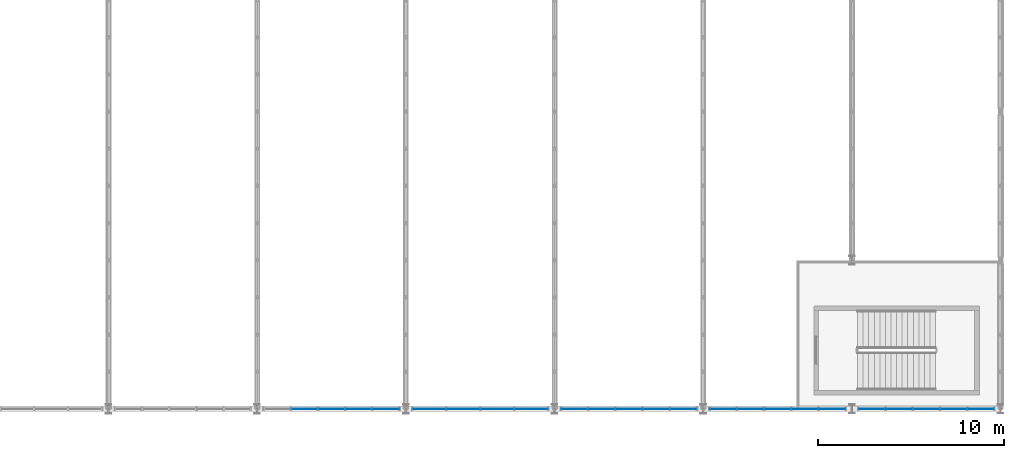
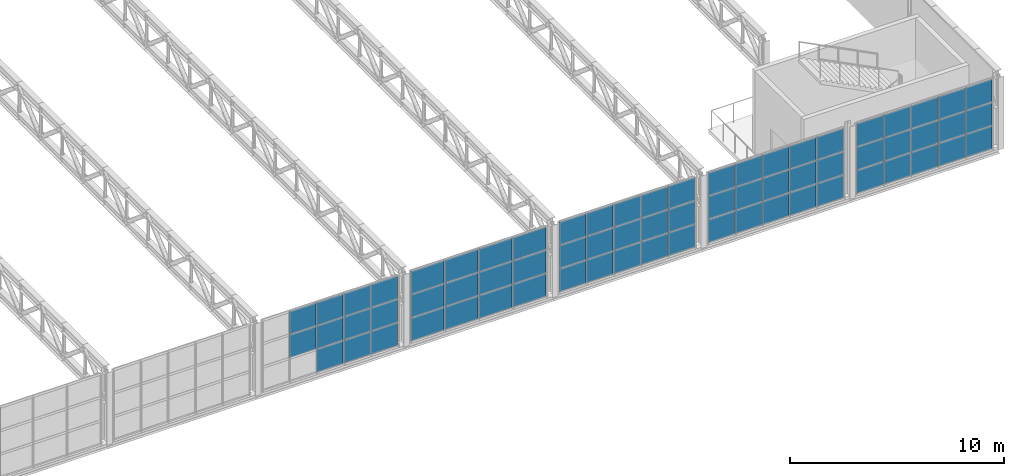
# One storey, part 54 of 67: 68 plates, 5 elements without a shape of their own.
"""IFC4 building model written with IfcOpenShell, lengths in metres."""

from ifc_helpers import new_model, si_unit, derived_unit, direction, frame, origin, origin_2d, place, context, subcontext, project, spatial, rectangle, extrude, material, layer, layer_set, type_object, element, aggregate, save


model = new_model("IFC4")

# Units and contexts
model_context = context("Model", 3, precision=1e-05, world=origin(), true_north=direction((0.0, 1.0)))
body_context = subcontext(model_context, "Body", "Model", "MODEL_VIEW")
ifc_project = project(units=[si_unit("LENGTHUNIT", "METRE"), si_unit("AREAUNIT", "SQUARE_METRE"), si_unit("VOLUMEUNIT", "CUBIC_METRE"), si_unit("PLANEANGLEUNIT", "RADIAN"), si_unit("MASSUNIT", "GRAM", prefix="KILO"), derived_unit("THERMALTRANSMITTANCEUNIT", [(si_unit("POWERUNIT", "WATT"), 1), (si_unit("LENGTHUNIT", "METRE"), -2), (si_unit("THERMODYNAMICTEMPERATUREUNIT", "KELVIN"), -1)])], contexts=[model_context])

# Site, building, storey
site_placement = place(None, origin())
site = spatial("IfcSite", under=ifc_project, at=site_placement, CompositionType="ELEMENT")
building_placement = place(site_placement, origin())
building = spatial("IfcBuilding", under=site, at=building_placement, Name="Keldorne Ridge Multi-Sports Centre", CompositionType="ELEMENT")
storey_placement = place(building_placement, frame((0.0, 0.0, 14.0)))
storey = spatial("IfcBuildingStorey", under=building, at=storey_placement, Name="L03", CompositionType="ELEMENT", Elevation=14.0)

# Curtain wall, plates
ifc_material_1 = material(Name="Anodized aluminium", Category="aluminium")
curtain_wall_type_1 = type_object("IfcCurtainWallType", Name="CW-CW-04", PredefinedType="NOTDEFINED", material=ifc_material_1)
curtain_wall_1_placement = place(storey_placement, origin())
curtain_wall_1 = element("IfcCurtainWall", 1, at=curtain_wall_1_placement, inside=storey, type_object=curtain_wall_type_1, Name="Upper Courts high clerestory 108", PredefinedType="NOTDEFINED")
ifc_material_2 = material(Name="Double low-e insulated glazing", Category="glass")
ifc_layer = layer(ifc_material_2, 0.035888671875)
ifc_layer_set = layer_set([ifc_layer])
plate_type = type_object("IfcPlateType", Name="PLT-GL-01", PredefinedType="CURTAIN_PANEL", material=ifc_layer_set)
plate_1_placement = place(storey_placement, frame((130.535888671875, 6.0, 1.353515625), z_axis=(0.0, 0.0, 1.0), x_axis=(1.0, 0.0, 0.0)))
plate_1 = element("IfcPlate", 2, at=plate_1_placement, type_object=plate_type, Name="CW-108 glazed panel 2.2", PredefinedType="CURTAIN_PANEL", context=body_context, shape_type="SweptSolid", body=[
    extrude(rectangle(XDim=1.424072265625, YDim=0.035888671875, at=origin_2d()), origin(), (0.0, 0.0, 1.0), 1.293212890625),
])
plate_2_placement = place(storey_placement, frame((130.535888671875, 6.0, 2.6865234375), z_axis=(0.0, 0.0, 1.0), x_axis=(1.0, 0.0, 0.0)))
plate_2 = element("IfcPlate", 3, at=plate_2_placement, type_object=plate_type, Name="CW-108 glazed panel 2.3", PredefinedType="CURTAIN_PANEL", context=body_context, shape_type="SweptSolid", body=[
    extrude(rectangle(XDim=1.424072265625, YDim=0.035888671875, at=origin_2d()), origin(), (0.0, 0.0, 1.0), 1.293212890625),
])
plate_3_placement = place(storey_placement, frame((132.0, 6.0, 0.02001953125), z_axis=(0.0, 0.0, 1.0), x_axis=(1.0, 0.0, 0.0)))
plate_3 = element("IfcPlate", 4, at=plate_3_placement, type_object=plate_type, Name="CW-108 glazed panel 3.1", PredefinedType="CURTAIN_PANEL", context=body_context, shape_type="SweptSolid", body=[
    extrude(rectangle(XDim=1.424072265625, YDim=0.035888671875, at=origin_2d()), origin(), (0.0, 0.0, 1.0), 1.293212890625),
])
plate_4_placement = place(storey_placement, frame((132.0, 6.0, 1.353515625), z_axis=(0.0, 0.0, 1.0), x_axis=(1.0, 0.0, 0.0)))
plate_4 = element("IfcPlate", 5, at=plate_4_placement, type_object=plate_type, Name="CW-108 glazed panel 3.2", PredefinedType="CURTAIN_PANEL", context=body_context, shape_type="SweptSolid", body=[
    extrude(rectangle(XDim=1.424072265625, YDim=0.035888671875, at=origin_2d()), origin(), (0.0, 0.0, 1.0), 1.293212890625),
])
plate_5_placement = place(storey_placement, frame((132.0, 6.0, 2.6865234375), z_axis=(0.0, 0.0, 1.0), x_axis=(1.0, 0.0, 0.0)))
plate_5 = element("IfcPlate", 6, at=plate_5_placement, type_object=plate_type, Name="CW-108 glazed panel 3.3", PredefinedType="CURTAIN_PANEL", context=body_context, shape_type="SweptSolid", body=[
    extrude(rectangle(XDim=1.424072265625, YDim=0.035888671875, at=origin_2d()), origin(), (0.0, 0.0, 1.0), 1.293212890625),
])
plate_6_placement = place(storey_placement, frame((133.464111328125, 6.0, 0.02001953125), z_axis=(0.0, 0.0, 1.0), x_axis=(1.0, 0.0, 0.0)))
plate_6 = element("IfcPlate", 7, at=plate_6_placement, type_object=plate_type, Name="CW-108 glazed panel 4.1", PredefinedType="CURTAIN_PANEL", context=body_context, shape_type="SweptSolid", body=[
    extrude(rectangle(XDim=1.424072265625, YDim=0.035888671875, at=origin_2d()), origin(), (0.0, 0.0, 1.0), 1.293212890625),
])
plate_7_placement = place(storey_placement, frame((133.464111328125, 6.0, 1.353515625), z_axis=(0.0, 0.0, 1.0), x_axis=(1.0, 0.0, 0.0)))
plate_7 = element("IfcPlate", 8, at=plate_7_placement, type_object=plate_type, Name="CW-108 glazed panel 4.2", PredefinedType="CURTAIN_PANEL", context=body_context, shape_type="SweptSolid", body=[
    extrude(rectangle(XDim=1.424072265625, YDim=0.035888671875, at=origin_2d()), origin(), (0.0, 0.0, 1.0), 1.293212890625),
])
plate_8_placement = place(storey_placement, frame((133.464111328125, 6.0, 2.6865234375), z_axis=(0.0, 0.0, 1.0), x_axis=(1.0, 0.0, 0.0)))
plate_8 = element("IfcPlate", 9, at=plate_8_placement, type_object=plate_type, Name="CW-108 glazed panel 4.3", PredefinedType="CURTAIN_PANEL", context=body_context, shape_type="SweptSolid", body=[
    extrude(rectangle(XDim=1.424072265625, YDim=0.035888671875, at=origin_2d()), origin(), (0.0, 0.0, 1.0), 1.293212890625),
])
plate_9_placement = place(storey_placement, frame((134.927978515625, 6.0, 0.02001953125), z_axis=(0.0, 0.0, 1.0), x_axis=(1.0, 0.0, 0.0)))
plate_9 = element("IfcPlate", 10, at=plate_9_placement, type_object=plate_type, Name="CW-108 glazed panel 5.1", PredefinedType="CURTAIN_PANEL", context=body_context, shape_type="SweptSolid", body=[
    extrude(rectangle(XDim=1.424072265625, YDim=0.035888671875, at=origin_2d()), origin(), (0.0, 0.0, 1.0), 1.293212890625),
])
plate_10_placement = place(storey_placement, frame((134.927978515625, 6.0, 1.353515625), z_axis=(0.0, 0.0, 1.0), x_axis=(1.0, 0.0, 0.0)))
plate_10 = element("IfcPlate", 11, at=plate_10_placement, type_object=plate_type, Name="CW-108 glazed panel 5.2", PredefinedType="CURTAIN_PANEL", context=body_context, shape_type="SweptSolid", body=[
    extrude(rectangle(XDim=1.424072265625, YDim=0.035888671875, at=origin_2d()), origin(), (0.0, 0.0, 1.0), 1.293212890625),
])
plate_11_placement = place(storey_placement, frame((134.927978515625, 6.0, 2.6865234375), z_axis=(0.0, 0.0, 1.0), x_axis=(1.0, 0.0, 0.0)))
plate_11 = element("IfcPlate", 12, at=plate_11_placement, type_object=plate_type, Name="CW-108 glazed panel 5.3", PredefinedType="CURTAIN_PANEL", context=body_context, shape_type="SweptSolid", body=[
    extrude(rectangle(XDim=1.424072265625, YDim=0.035888671875, at=origin_2d()), origin(), (0.0, 0.0, 1.0), 1.293212890625),
])
aggregate(curtain_wall_1, [plate_1, plate_2, plate_3, plate_4, plate_5, plate_6, plate_7, plate_8, plate_9, plate_10, plate_11])

curtain_wall_type_2 = type_object("IfcCurtainWallType", Name="CW-CW-03", PredefinedType="NOTDEFINED", material=ifc_material_1)
curtain_wall_2_placement = place(storey_placement, origin())
curtain_wall_2 = element("IfcCurtainWall", 13, at=curtain_wall_2_placement, inside=storey, type_object=curtain_wall_type_2, Name="Upper Courts high clerestory 115", PredefinedType="NOTDEFINED")
plate_12_placement = place(storey_placement, frame((137.2548828125, 6.0, 0.02001953125), z_axis=(0.0, 0.0, 1.0), x_axis=(1.0, 0.0, 0.0)))
plate_12 = element("IfcPlate", 14, at=plate_12_placement, type_object=plate_type, Name="CW-115 glazed panel 1.1", PredefinedType="CURTAIN_PANEL", context=body_context, shape_type="SweptSolid", body=[
    extrude(rectangle(XDim=1.7900390625, YDim=0.035888671875, at=origin_2d()), origin(), (0.0, 0.0, 1.0), 1.293212890625),
])
plate_13_placement = place(storey_placement, frame((137.2548828125, 6.0, 1.353515625), z_axis=(0.0, 0.0, 1.0), x_axis=(1.0, 0.0, 0.0)))
plate_13 = element("IfcPlate", 15, at=plate_13_placement, type_object=plate_type, Name="CW-115 glazed panel 1.2", PredefinedType="CURTAIN_PANEL", context=body_context, shape_type="SweptSolid", body=[
    extrude(rectangle(XDim=1.7900390625, YDim=0.035888671875, at=origin_2d()), origin(), (0.0, 0.0, 1.0), 1.293212890625),
])
plate_14_placement = place(storey_placement, frame((137.2548828125, 6.0, 2.6865234375), z_axis=(0.0, 0.0, 1.0), x_axis=(1.0, 0.0, 0.0)))
plate_14 = element("IfcPlate", 16, at=plate_14_placement, type_object=plate_type, Name="CW-115 glazed panel 1.3", PredefinedType="CURTAIN_PANEL", context=body_context, shape_type="SweptSolid", body=[
    extrude(rectangle(XDim=1.7900390625, YDim=0.035888671875, at=origin_2d()), origin(), (0.0, 0.0, 1.0), 1.293212890625),
])
plate_15_placement = place(storey_placement, frame((139.0849609375, 6.0, 0.02001953125), z_axis=(0.0, 0.0, 1.0), x_axis=(1.0, 0.0, 0.0)))
plate_15 = element("IfcPlate", 17, at=plate_15_placement, type_object=plate_type, Name="CW-115 glazed panel 2.1", PredefinedType="CURTAIN_PANEL", context=body_context, shape_type="SweptSolid", body=[
    extrude(rectangle(XDim=1.7900390625, YDim=0.035888671875, at=origin_2d()), origin(), (0.0, 0.0, 1.0), 1.293212890625),
])
plate_16_placement = place(storey_placement, frame((139.0849609375, 6.0, 1.353515625), z_axis=(0.0, 0.0, 1.0), x_axis=(1.0, 0.0, 0.0)))
plate_16 = element("IfcPlate", 18, at=plate_16_placement, type_object=plate_type, Name="CW-115 glazed panel 2.2", PredefinedType="CURTAIN_PANEL", context=body_context, shape_type="SweptSolid", body=[
    extrude(rectangle(XDim=1.7900390625, YDim=0.035888671875, at=origin_2d()), origin(), (0.0, 0.0, 1.0), 1.293212890625),
])
plate_17_placement = place(storey_placement, frame((139.0849609375, 6.0, 2.6865234375), z_axis=(0.0, 0.0, 1.0), x_axis=(1.0, 0.0, 0.0)))
plate_17 = element("IfcPlate", 19, at=plate_17_placement, type_object=plate_type, Name="CW-115 glazed panel 2.3", PredefinedType="CURTAIN_PANEL", context=body_context, shape_type="SweptSolid", body=[
    extrude(rectangle(XDim=1.7900390625, YDim=0.035888671875, at=origin_2d()), origin(), (0.0, 0.0, 1.0), 1.293212890625),
])
plate_18_placement = place(storey_placement, frame((140.9150390625, 6.0, 0.02001953125), z_axis=(0.0, 0.0, 1.0), x_axis=(1.0, 0.0, 0.0)))
plate_18 = element("IfcPlate", 20, at=plate_18_placement, type_object=plate_type, Name="CW-115 glazed panel 3.1", PredefinedType="CURTAIN_PANEL", context=body_context, shape_type="SweptSolid", body=[
    extrude(rectangle(XDim=1.7900390625, YDim=0.035888671875, at=origin_2d()), origin(), (0.0, 0.0, 1.0), 1.293212890625),
])
plate_19_placement = place(storey_placement, frame((140.9150390625, 6.0, 1.353515625), z_axis=(0.0, 0.0, 1.0), x_axis=(1.0, 0.0, 0.0)))
plate_19 = element("IfcPlate", 21, at=plate_19_placement, type_object=plate_type, Name="CW-115 glazed panel 3.2", PredefinedType="CURTAIN_PANEL", context=body_context, shape_type="SweptSolid", body=[
    extrude(rectangle(XDim=1.7900390625, YDim=0.035888671875, at=origin_2d()), origin(), (0.0, 0.0, 1.0), 1.293212890625),
])
plate_20_placement = place(storey_placement, frame((140.9150390625, 6.0, 2.6865234375), z_axis=(0.0, 0.0, 1.0), x_axis=(1.0, 0.0, 0.0)))
plate_20 = element("IfcPlate", 22, at=plate_20_placement, type_object=plate_type, Name="CW-115 glazed panel 3.3", PredefinedType="CURTAIN_PANEL", context=body_context, shape_type="SweptSolid", body=[
    extrude(rectangle(XDim=1.7900390625, YDim=0.035888671875, at=origin_2d()), origin(), (0.0, 0.0, 1.0), 1.293212890625),
])
plate_21_placement = place(storey_placement, frame((142.7451171875, 6.0, 0.02001953125), z_axis=(0.0, 0.0, 1.0), x_axis=(1.0, 0.0, 0.0)))
plate_21 = element("IfcPlate", 23, at=plate_21_placement, type_object=plate_type, Name="CW-115 glazed panel 4.1", PredefinedType="CURTAIN_PANEL", context=body_context, shape_type="SweptSolid", body=[
    extrude(rectangle(XDim=1.7900390625, YDim=0.035888671875, at=origin_2d()), origin(), (0.0, 0.0, 1.0), 1.293212890625),
])
plate_22_placement = place(storey_placement, frame((142.7451171875, 6.0, 1.353515625), z_axis=(0.0, 0.0, 1.0), x_axis=(1.0, 0.0, 0.0)))
plate_22 = element("IfcPlate", 24, at=plate_22_placement, type_object=plate_type, Name="CW-115 glazed panel 4.2", PredefinedType="CURTAIN_PANEL", context=body_context, shape_type="SweptSolid", body=[
    extrude(rectangle(XDim=1.7900390625, YDim=0.035888671875, at=origin_2d()), origin(), (0.0, 0.0, 1.0), 1.293212890625),
])
plate_23_placement = place(storey_placement, frame((142.7451171875, 6.0, 2.6865234375), z_axis=(0.0, 0.0, 1.0), x_axis=(1.0, 0.0, 0.0)))
plate_23 = element("IfcPlate", 25, at=plate_23_placement, type_object=plate_type, Name="CW-115 glazed panel 4.3", PredefinedType="CURTAIN_PANEL", context=body_context, shape_type="SweptSolid", body=[
    extrude(rectangle(XDim=1.7900390625, YDim=0.035888671875, at=origin_2d()), origin(), (0.0, 0.0, 1.0), 1.293212890625),
])
aggregate(curtain_wall_2, [plate_12, plate_13, plate_14, plate_15, plate_16, plate_17, plate_18, plate_19, plate_20, plate_21, plate_22, plate_23])

curtain_wall_type_3 = type_object("IfcCurtainWallType", Name="CW-CW-01", PredefinedType="NOTDEFINED", material=ifc_material_1)
curtain_wall_3_placement = place(storey_placement, origin())
curtain_wall_3 = element("IfcCurtainWall", 26, at=curtain_wall_3_placement, inside=storey, type_object=curtain_wall_type_3, Name="Upper Courts high clerestory 121", PredefinedType="NOTDEFINED")
plate_24_placement = place(storey_placement, frame((145.072021484375, 6.0, 0.02001953125), z_axis=(0.0, 0.0, 1.0), x_axis=(1.0, 0.0, 0.0)))
plate_24 = element("IfcPlate", 27, at=plate_24_placement, type_object=plate_type, Name="CW-121 glazed panel 1.1", PredefinedType="CURTAIN_PANEL", context=body_context, shape_type="SweptSolid", body=[
    extrude(rectangle(XDim=1.424072265625, YDim=0.035888671875, at=origin_2d()), origin(), (0.0, 0.0, 1.0), 1.293212890625),
])
plate_25_placement = place(storey_placement, frame((145.072021484375, 6.0, 1.353515625), z_axis=(0.0, 0.0, 1.0), x_axis=(1.0, 0.0, 0.0)))
plate_25 = element("IfcPlate", 28, at=plate_25_placement, type_object=plate_type, Name="CW-121 glazed panel 1.2", PredefinedType="CURTAIN_PANEL", context=body_context, shape_type="SweptSolid", body=[
    extrude(rectangle(XDim=1.424072265625, YDim=0.035888671875, at=origin_2d()), origin(), (0.0, 0.0, 1.0), 1.293212890625),
])
plate_26_placement = place(storey_placement, frame((145.072021484375, 6.0, 2.6865234375), z_axis=(0.0, 0.0, 1.0), x_axis=(1.0, 0.0, 0.0)))
plate_26 = element("IfcPlate", 29, at=plate_26_placement, type_object=plate_type, Name="CW-121 glazed panel 1.3", PredefinedType="CURTAIN_PANEL", context=body_context, shape_type="SweptSolid", body=[
    extrude(rectangle(XDim=1.424072265625, YDim=0.035888671875, at=origin_2d()), origin(), (0.0, 0.0, 1.0), 1.293212890625),
])
plate_27_placement = place(storey_placement, frame((146.535888671875, 6.0, 0.02001953125), z_axis=(0.0, 0.0, 1.0), x_axis=(1.0, 0.0, 0.0)))
plate_27 = element("IfcPlate", 30, at=plate_27_placement, type_object=plate_type, Name="CW-121 glazed panel 2.1", PredefinedType="CURTAIN_PANEL", context=body_context, shape_type="SweptSolid", body=[
    extrude(rectangle(XDim=1.424072265625, YDim=0.035888671875, at=origin_2d()), origin(), (0.0, 0.0, 1.0), 1.293212890625),
])
plate_28_placement = place(storey_placement, frame((146.535888671875, 6.0, 1.353515625), z_axis=(0.0, 0.0, 1.0), x_axis=(1.0, 0.0, 0.0)))
plate_28 = element("IfcPlate", 31, at=plate_28_placement, type_object=plate_type, Name="CW-121 glazed panel 2.2", PredefinedType="CURTAIN_PANEL", context=body_context, shape_type="SweptSolid", body=[
    extrude(rectangle(XDim=1.424072265625, YDim=0.035888671875, at=origin_2d()), origin(), (0.0, 0.0, 1.0), 1.293212890625),
])
plate_29_placement = place(storey_placement, frame((146.535888671875, 6.0, 2.6865234375), z_axis=(0.0, 0.0, 1.0), x_axis=(1.0, 0.0, 0.0)))
plate_29 = element("IfcPlate", 32, at=plate_29_placement, type_object=plate_type, Name="CW-121 glazed panel 2.3", PredefinedType="CURTAIN_PANEL", context=body_context, shape_type="SweptSolid", body=[
    extrude(rectangle(XDim=1.424072265625, YDim=0.035888671875, at=origin_2d()), origin(), (0.0, 0.0, 1.0), 1.293212890625),
])
plate_30_placement = place(storey_placement, frame((148.0, 6.0, 0.02001953125), z_axis=(0.0, 0.0, 1.0), x_axis=(1.0, 0.0, 0.0)))
plate_30 = element("IfcPlate", 33, at=plate_30_placement, type_object=plate_type, Name="CW-121 glazed panel 3.1", PredefinedType="CURTAIN_PANEL", context=body_context, shape_type="SweptSolid", body=[
    extrude(rectangle(XDim=1.424072265625, YDim=0.035888671875, at=origin_2d()), origin(), (0.0, 0.0, 1.0), 1.293212890625),
])
plate_31_placement = place(storey_placement, frame((148.0, 6.0, 1.353515625), z_axis=(0.0, 0.0, 1.0), x_axis=(1.0, 0.0, 0.0)))
plate_31 = element("IfcPlate", 34, at=plate_31_placement, type_object=plate_type, Name="CW-121 glazed panel 3.2", PredefinedType="CURTAIN_PANEL", context=body_context, shape_type="SweptSolid", body=[
    extrude(rectangle(XDim=1.424072265625, YDim=0.035888671875, at=origin_2d()), origin(), (0.0, 0.0, 1.0), 1.293212890625),
])
plate_32_placement = place(storey_placement, frame((148.0, 6.0, 2.6865234375), z_axis=(0.0, 0.0, 1.0), x_axis=(1.0, 0.0, 0.0)))
plate_32 = element("IfcPlate", 35, at=plate_32_placement, type_object=plate_type, Name="CW-121 glazed panel 3.3", PredefinedType="CURTAIN_PANEL", context=body_context, shape_type="SweptSolid", body=[
    extrude(rectangle(XDim=1.424072265625, YDim=0.035888671875, at=origin_2d()), origin(), (0.0, 0.0, 1.0), 1.293212890625),
])
plate_33_placement = place(storey_placement, frame((149.464111328125, 6.0, 0.02001953125), z_axis=(0.0, 0.0, 1.0), x_axis=(1.0, 0.0, 0.0)))
plate_33 = element("IfcPlate", 36, at=plate_33_placement, type_object=plate_type, Name="CW-121 glazed panel 4.1", PredefinedType="CURTAIN_PANEL", context=body_context, shape_type="SweptSolid", body=[
    extrude(rectangle(XDim=1.424072265625, YDim=0.035888671875, at=origin_2d()), origin(), (0.0, 0.0, 1.0), 1.293212890625),
])
plate_34_placement = place(storey_placement, frame((149.464111328125, 6.0, 1.353515625), z_axis=(0.0, 0.0, 1.0), x_axis=(1.0, 0.0, 0.0)))
plate_34 = element("IfcPlate", 37, at=plate_34_placement, type_object=plate_type, Name="CW-121 glazed panel 4.2", PredefinedType="CURTAIN_PANEL", context=body_context, shape_type="SweptSolid", body=[
    extrude(rectangle(XDim=1.424072265625, YDim=0.035888671875, at=origin_2d()), origin(), (0.0, 0.0, 1.0), 1.293212890625),
])
plate_35_placement = place(storey_placement, frame((149.464111328125, 6.0, 2.6865234375), z_axis=(0.0, 0.0, 1.0), x_axis=(1.0, 0.0, 0.0)))
plate_35 = element("IfcPlate", 38, at=plate_35_placement, type_object=plate_type, Name="CW-121 glazed panel 4.3", PredefinedType="CURTAIN_PANEL", context=body_context, shape_type="SweptSolid", body=[
    extrude(rectangle(XDim=1.424072265625, YDim=0.035888671875, at=origin_2d()), origin(), (0.0, 0.0, 1.0), 1.293212890625),
])
plate_36_placement = place(storey_placement, frame((150.927978515625, 6.0, 0.02001953125), z_axis=(0.0, 0.0, 1.0), x_axis=(1.0, 0.0, 0.0)))
plate_36 = element("IfcPlate", 39, at=plate_36_placement, type_object=plate_type, Name="CW-121 glazed panel 5.1", PredefinedType="CURTAIN_PANEL", context=body_context, shape_type="SweptSolid", body=[
    extrude(rectangle(XDim=1.424072265625, YDim=0.035888671875, at=origin_2d()), origin(), (0.0, 0.0, 1.0), 1.293212890625),
])
plate_37_placement = place(storey_placement, frame((150.927978515625, 6.0, 1.353515625), z_axis=(0.0, 0.0, 1.0), x_axis=(1.0, 0.0, 0.0)))
plate_37 = element("IfcPlate", 40, at=plate_37_placement, type_object=plate_type, Name="CW-121 glazed panel 5.2", PredefinedType="CURTAIN_PANEL", context=body_context, shape_type="SweptSolid", body=[
    extrude(rectangle(XDim=1.424072265625, YDim=0.035888671875, at=origin_2d()), origin(), (0.0, 0.0, 1.0), 1.293212890625),
])
plate_38_placement = place(storey_placement, frame((150.927978515625, 6.0, 2.6865234375), z_axis=(0.0, 0.0, 1.0), x_axis=(1.0, 0.0, 0.0)))
plate_38 = element("IfcPlate", 41, at=plate_38_placement, type_object=plate_type, Name="CW-121 glazed panel 5.3", PredefinedType="CURTAIN_PANEL", context=body_context, shape_type="SweptSolid", body=[
    extrude(rectangle(XDim=1.424072265625, YDim=0.035888671875, at=origin_2d()), origin(), (0.0, 0.0, 1.0), 1.293212890625),
])
aggregate(curtain_wall_3, [plate_24, plate_25, plate_26, plate_27, plate_28, plate_29, plate_30, plate_31, plate_32, plate_33, plate_34, plate_35, plate_36, plate_37, plate_38])

curtain_wall_type_4 = type_object("IfcCurtainWallType", Name="CW-CW-07", PredefinedType="NOTDEFINED", material=ifc_material_1)
curtain_wall_4_placement = place(storey_placement, origin())
curtain_wall_4 = element("IfcCurtainWall", 42, at=curtain_wall_4_placement, inside=storey, type_object=curtain_wall_type_4, Name="Upper Courts high clerestory 127", PredefinedType="NOTDEFINED")
plate_39_placement = place(storey_placement, frame((153.072021484375, 6.0, 0.02001953125), z_axis=(0.0, 0.0, 1.0), x_axis=(1.0, 0.0, 0.0)))
plate_39 = element("IfcPlate", 43, at=plate_39_placement, type_object=plate_type, Name="CW-127 glazed panel 1.1", PredefinedType="CURTAIN_PANEL", context=body_context, shape_type="SweptSolid", body=[
    extrude(rectangle(XDim=1.424072265625, YDim=0.035888671875, at=origin_2d()), origin(), (0.0, 0.0, 1.0), 1.293212890625),
])
plate_40_placement = place(storey_placement, frame((153.072021484375, 6.0, 1.353515625), z_axis=(0.0, 0.0, 1.0), x_axis=(1.0, 0.0, 0.0)))
plate_40 = element("IfcPlate", 44, at=plate_40_placement, type_object=plate_type, Name="CW-127 glazed panel 1.2", PredefinedType="CURTAIN_PANEL", context=body_context, shape_type="SweptSolid", body=[
    extrude(rectangle(XDim=1.424072265625, YDim=0.035888671875, at=origin_2d()), origin(), (0.0, 0.0, 1.0), 1.293212890625),
])
plate_41_placement = place(storey_placement, frame((153.072021484375, 6.0, 2.6865234375), z_axis=(0.0, 0.0, 1.0), x_axis=(1.0, 0.0, 0.0)))
plate_41 = element("IfcPlate", 45, at=plate_41_placement, type_object=plate_type, Name="CW-127 glazed panel 1.3", PredefinedType="CURTAIN_PANEL", context=body_context, shape_type="SweptSolid", body=[
    extrude(rectangle(XDim=1.424072265625, YDim=0.035888671875, at=origin_2d()), origin(), (0.0, 0.0, 1.0), 1.293212890625),
])
plate_42_placement = place(storey_placement, frame((154.535888671875, 6.0, 0.02001953125), z_axis=(0.0, 0.0, 1.0), x_axis=(1.0, 0.0, 0.0)))
plate_42 = element("IfcPlate", 46, at=plate_42_placement, type_object=plate_type, Name="CW-127 glazed panel 2.1", PredefinedType="CURTAIN_PANEL", context=body_context, shape_type="SweptSolid", body=[
    extrude(rectangle(XDim=1.424072265625, YDim=0.035888671875, at=origin_2d()), origin(), (0.0, 0.0, 1.0), 1.293212890625),
])
plate_43_placement = place(storey_placement, frame((154.535888671875, 6.0, 1.353515625), z_axis=(0.0, 0.0, 1.0), x_axis=(1.0, 0.0, 0.0)))
plate_43 = element("IfcPlate", 47, at=plate_43_placement, type_object=plate_type, Name="CW-127 glazed panel 2.2", PredefinedType="CURTAIN_PANEL", context=body_context, shape_type="SweptSolid", body=[
    extrude(rectangle(XDim=1.424072265625, YDim=0.035888671875, at=origin_2d()), origin(), (0.0, 0.0, 1.0), 1.293212890625),
])
plate_44_placement = place(storey_placement, frame((154.535888671875, 6.0, 2.6865234375), z_axis=(0.0, 0.0, 1.0), x_axis=(1.0, 0.0, 0.0)))
plate_44 = element("IfcPlate", 48, at=plate_44_placement, type_object=plate_type, Name="CW-127 glazed panel 2.3", PredefinedType="CURTAIN_PANEL", context=body_context, shape_type="SweptSolid", body=[
    extrude(rectangle(XDim=1.424072265625, YDim=0.035888671875, at=origin_2d()), origin(), (0.0, 0.0, 1.0), 1.293212890625),
])
plate_45_placement = place(storey_placement, frame((156.0, 6.0, 0.02001953125), z_axis=(0.0, 0.0, 1.0), x_axis=(1.0, 0.0, 0.0)))
plate_45 = element("IfcPlate", 49, at=plate_45_placement, type_object=plate_type, Name="CW-127 glazed panel 3.1", PredefinedType="CURTAIN_PANEL", context=body_context, shape_type="SweptSolid", body=[
    extrude(rectangle(XDim=1.424072265625, YDim=0.035888671875, at=origin_2d()), origin(), (0.0, 0.0, 1.0), 1.293212890625),
])
plate_46_placement = place(storey_placement, frame((156.0, 6.0, 1.353515625), z_axis=(0.0, 0.0, 1.0), x_axis=(1.0, 0.0, 0.0)))
plate_46 = element("IfcPlate", 50, at=plate_46_placement, type_object=plate_type, Name="CW-127 glazed panel 3.2", PredefinedType="CURTAIN_PANEL", context=body_context, shape_type="SweptSolid", body=[
    extrude(rectangle(XDim=1.424072265625, YDim=0.035888671875, at=origin_2d()), origin(), (0.0, 0.0, 1.0), 1.293212890625),
])
plate_47_placement = place(storey_placement, frame((156.0, 6.0, 2.6865234375), z_axis=(0.0, 0.0, 1.0), x_axis=(1.0, 0.0, 0.0)))
plate_47 = element("IfcPlate", 51, at=plate_47_placement, type_object=plate_type, Name="CW-127 glazed panel 3.3", PredefinedType="CURTAIN_PANEL", context=body_context, shape_type="SweptSolid", body=[
    extrude(rectangle(XDim=1.424072265625, YDim=0.035888671875, at=origin_2d()), origin(), (0.0, 0.0, 1.0), 1.293212890625),
])
plate_48_placement = place(storey_placement, frame((157.464111328125, 6.0, 0.02001953125), z_axis=(0.0, 0.0, 1.0), x_axis=(1.0, 0.0, 0.0)))
plate_48 = element("IfcPlate", 52, at=plate_48_placement, type_object=plate_type, Name="CW-127 glazed panel 4.1", PredefinedType="CURTAIN_PANEL", context=body_context, shape_type="SweptSolid", body=[
    extrude(rectangle(XDim=1.424072265625, YDim=0.035888671875, at=origin_2d()), origin(), (0.0, 0.0, 1.0), 1.293212890625),
])
plate_49_placement = place(storey_placement, frame((157.464111328125, 6.0, 1.353515625), z_axis=(0.0, 0.0, 1.0), x_axis=(1.0, 0.0, 0.0)))
plate_49 = element("IfcPlate", 53, at=plate_49_placement, type_object=plate_type, Name="CW-127 glazed panel 4.2", PredefinedType="CURTAIN_PANEL", context=body_context, shape_type="SweptSolid", body=[
    extrude(rectangle(XDim=1.424072265625, YDim=0.035888671875, at=origin_2d()), origin(), (0.0, 0.0, 1.0), 1.293212890625),
])
plate_50_placement = place(storey_placement, frame((157.464111328125, 6.0, 2.6865234375), z_axis=(0.0, 0.0, 1.0), x_axis=(1.0, 0.0, 0.0)))
plate_50 = element("IfcPlate", 54, at=plate_50_placement, type_object=plate_type, Name="CW-127 glazed panel 4.3", PredefinedType="CURTAIN_PANEL", context=body_context, shape_type="SweptSolid", body=[
    extrude(rectangle(XDim=1.424072265625, YDim=0.035888671875, at=origin_2d()), origin(), (0.0, 0.0, 1.0), 1.293212890625),
])
plate_51_placement = place(storey_placement, frame((158.927978515625, 6.0, 0.02001953125), z_axis=(0.0, 0.0, 1.0), x_axis=(1.0, 0.0, 0.0)))
plate_51 = element("IfcPlate", 55, at=plate_51_placement, type_object=plate_type, Name="CW-127 glazed panel 5.1", PredefinedType="CURTAIN_PANEL", context=body_context, shape_type="SweptSolid", body=[
    extrude(rectangle(XDim=1.424072265625, YDim=0.035888671875, at=origin_2d()), origin(), (0.0, 0.0, 1.0), 1.293212890625),
])
plate_52_placement = place(storey_placement, frame((158.927978515625, 6.0, 1.353515625), z_axis=(0.0, 0.0, 1.0), x_axis=(1.0, 0.0, 0.0)))
plate_52 = element("IfcPlate", 56, at=plate_52_placement, type_object=plate_type, Name="CW-127 glazed panel 5.2", PredefinedType="CURTAIN_PANEL", context=body_context, shape_type="SweptSolid", body=[
    extrude(rectangle(XDim=1.424072265625, YDim=0.035888671875, at=origin_2d()), origin(), (0.0, 0.0, 1.0), 1.293212890625),
])
plate_53_placement = place(storey_placement, frame((158.927978515625, 6.0, 2.6865234375), z_axis=(0.0, 0.0, 1.0), x_axis=(1.0, 0.0, 0.0)))
plate_53 = element("IfcPlate", 57, at=plate_53_placement, type_object=plate_type, Name="CW-127 glazed panel 5.3", PredefinedType="CURTAIN_PANEL", context=body_context, shape_type="SweptSolid", body=[
    extrude(rectangle(XDim=1.424072265625, YDim=0.035888671875, at=origin_2d()), origin(), (0.0, 0.0, 1.0), 1.293212890625),
])
aggregate(curtain_wall_4, [plate_39, plate_40, plate_41, plate_42, plate_43, plate_44, plate_45, plate_46, plate_47, plate_48, plate_49, plate_50, plate_51, plate_52, plate_53])

curtain_wall_type_5 = type_object("IfcCurtainWallType", Name="CW-CW-06", PredefinedType="NOTDEFINED", material=ifc_material_1)
curtain_wall_5_placement = place(storey_placement, origin())
curtain_wall_5 = element("IfcCurtainWall", 58, at=curtain_wall_5_placement, inside=storey, type_object=curtain_wall_type_5, Name="Upper Courts high clerestory 134", PredefinedType="NOTDEFINED")
plate_54_placement = place(storey_placement, frame((161.072021484375, 6.0, 0.02001953125), z_axis=(0.0, 0.0, 1.0), x_axis=(1.0, 0.0, 0.0)))
plate_54 = element("IfcPlate", 59, at=plate_54_placement, type_object=plate_type, Name="CW-134 glazed panel 1.1", PredefinedType="CURTAIN_PANEL", context=body_context, shape_type="SweptSolid", body=[
    extrude(rectangle(XDim=1.424072265625, YDim=0.035888671875, at=origin_2d()), origin(), (0.0, 0.0, 1.0), 1.293212890625),
])
plate_55_placement = place(storey_placement, frame((161.072021484375, 6.0, 1.353515625), z_axis=(0.0, 0.0, 1.0), x_axis=(1.0, 0.0, 0.0)))
plate_55 = element("IfcPlate", 60, at=plate_55_placement, type_object=plate_type, Name="CW-134 glazed panel 1.2", PredefinedType="CURTAIN_PANEL", context=body_context, shape_type="SweptSolid", body=[
    extrude(rectangle(XDim=1.424072265625, YDim=0.035888671875, at=origin_2d()), origin(), (0.0, 0.0, 1.0), 1.293212890625),
])
plate_56_placement = place(storey_placement, frame((161.072021484375, 6.0, 2.6865234375), z_axis=(0.0, 0.0, 1.0), x_axis=(1.0, 0.0, 0.0)))
plate_56 = element("IfcPlate", 61, at=plate_56_placement, type_object=plate_type, Name="CW-134 glazed panel 1.3", PredefinedType="CURTAIN_PANEL", context=body_context, shape_type="SweptSolid", body=[
    extrude(rectangle(XDim=1.424072265625, YDim=0.035888671875, at=origin_2d()), origin(), (0.0, 0.0, 1.0), 1.293212890625),
])
plate_57_placement = place(storey_placement, frame((162.535888671875, 6.0, 0.02001953125), z_axis=(0.0, 0.0, 1.0), x_axis=(1.0, 0.0, 0.0)))
plate_57 = element("IfcPlate", 62, at=plate_57_placement, type_object=plate_type, Name="CW-134 glazed panel 2.1", PredefinedType="CURTAIN_PANEL", context=body_context, shape_type="SweptSolid", body=[
    extrude(rectangle(XDim=1.424072265625, YDim=0.035888671875, at=origin_2d()), origin(), (0.0, 0.0, 1.0), 1.293212890625),
])
plate_58_placement = place(storey_placement, frame((162.535888671875, 6.0, 1.353515625), z_axis=(0.0, 0.0, 1.0), x_axis=(1.0, 0.0, 0.0)))
plate_58 = element("IfcPlate", 63, at=plate_58_placement, type_object=plate_type, Name="CW-134 glazed panel 2.2", PredefinedType="CURTAIN_PANEL", context=body_context, shape_type="SweptSolid", body=[
    extrude(rectangle(XDim=1.424072265625, YDim=0.035888671875, at=origin_2d()), origin(), (0.0, 0.0, 1.0), 1.293212890625),
])
plate_59_placement = place(storey_placement, frame((162.535888671875, 6.0, 2.6865234375), z_axis=(0.0, 0.0, 1.0), x_axis=(1.0, 0.0, 0.0)))
plate_59 = element("IfcPlate", 64, at=plate_59_placement, type_object=plate_type, Name="CW-134 glazed panel 2.3", PredefinedType="CURTAIN_PANEL", context=body_context, shape_type="SweptSolid", body=[
    extrude(rectangle(XDim=1.424072265625, YDim=0.035888671875, at=origin_2d()), origin(), (0.0, 0.0, 1.0), 1.293212890625),
])
plate_60_placement = place(storey_placement, frame((164.0, 6.0, 0.02001953125), z_axis=(0.0, 0.0, 1.0), x_axis=(1.0, 0.0, 0.0)))
plate_60 = element("IfcPlate", 65, at=plate_60_placement, type_object=plate_type, Name="CW-134 glazed panel 3.1", PredefinedType="CURTAIN_PANEL", context=body_context, shape_type="SweptSolid", body=[
    extrude(rectangle(XDim=1.424072265625, YDim=0.035888671875, at=origin_2d()), origin(), (0.0, 0.0, 1.0), 1.293212890625),
])
plate_61_placement = place(storey_placement, frame((164.0, 6.0, 1.353515625), z_axis=(0.0, 0.0, 1.0), x_axis=(1.0, 0.0, 0.0)))
plate_61 = element("IfcPlate", 66, at=plate_61_placement, type_object=plate_type, Name="CW-134 glazed panel 3.2", PredefinedType="CURTAIN_PANEL", context=body_context, shape_type="SweptSolid", body=[
    extrude(rectangle(XDim=1.424072265625, YDim=0.035888671875, at=origin_2d()), origin(), (0.0, 0.0, 1.0), 1.293212890625),
])
plate_62_placement = place(storey_placement, frame((164.0, 6.0, 2.6865234375), z_axis=(0.0, 0.0, 1.0), x_axis=(1.0, 0.0, 0.0)))
plate_62 = element("IfcPlate", 67, at=plate_62_placement, type_object=plate_type, Name="CW-134 glazed panel 3.3", PredefinedType="CURTAIN_PANEL", context=body_context, shape_type="SweptSolid", body=[
    extrude(rectangle(XDim=1.424072265625, YDim=0.035888671875, at=origin_2d()), origin(), (0.0, 0.0, 1.0), 1.293212890625),
])
plate_63_placement = place(storey_placement, frame((165.464111328125, 6.0, 0.02001953125), z_axis=(0.0, 0.0, 1.0), x_axis=(1.0, 0.0, 0.0)))
plate_63 = element("IfcPlate", 68, at=plate_63_placement, type_object=plate_type, Name="CW-134 glazed panel 4.1", PredefinedType="CURTAIN_PANEL", context=body_context, shape_type="SweptSolid", body=[
    extrude(rectangle(XDim=1.424072265625, YDim=0.035888671875, at=origin_2d()), origin(), (0.0, 0.0, 1.0), 1.293212890625),
])
plate_64_placement = place(storey_placement, frame((165.464111328125, 6.0, 1.353515625), z_axis=(0.0, 0.0, 1.0), x_axis=(1.0, 0.0, 0.0)))
plate_64 = element("IfcPlate", 69, at=plate_64_placement, type_object=plate_type, Name="CW-134 glazed panel 4.2", PredefinedType="CURTAIN_PANEL", context=body_context, shape_type="SweptSolid", body=[
    extrude(rectangle(XDim=1.424072265625, YDim=0.035888671875, at=origin_2d()), origin(), (0.0, 0.0, 1.0), 1.293212890625),
])
plate_65_placement = place(storey_placement, frame((165.464111328125, 6.0, 2.6865234375), z_axis=(0.0, 0.0, 1.0), x_axis=(1.0, 0.0, 0.0)))
plate_65 = element("IfcPlate", 70, at=plate_65_placement, type_object=plate_type, Name="CW-134 glazed panel 4.3", PredefinedType="CURTAIN_PANEL", context=body_context, shape_type="SweptSolid", body=[
    extrude(rectangle(XDim=1.424072265625, YDim=0.035888671875, at=origin_2d()), origin(), (0.0, 0.0, 1.0), 1.293212890625),
])
plate_66_placement = place(storey_placement, frame((166.927978515625, 6.0, 0.02001953125), z_axis=(0.0, 0.0, 1.0), x_axis=(1.0, 0.0, 0.0)))
plate_66 = element("IfcPlate", 71, at=plate_66_placement, type_object=plate_type, Name="CW-134 glazed panel 5.1", PredefinedType="CURTAIN_PANEL", context=body_context, shape_type="SweptSolid", body=[
    extrude(rectangle(XDim=1.424072265625, YDim=0.035888671875, at=origin_2d()), origin(), (0.0, 0.0, 1.0), 1.293212890625),
])
plate_67_placement = place(storey_placement, frame((166.927978515625, 6.0, 1.353515625), z_axis=(0.0, 0.0, 1.0), x_axis=(1.0, 0.0, 0.0)))
plate_67 = element("IfcPlate", 72, at=plate_67_placement, type_object=plate_type, Name="CW-134 glazed panel 5.2", PredefinedType="CURTAIN_PANEL", context=body_context, shape_type="SweptSolid", body=[
    extrude(rectangle(XDim=1.424072265625, YDim=0.035888671875, at=origin_2d()), origin(), (0.0, 0.0, 1.0), 1.293212890625),
])
plate_68_placement = place(storey_placement, frame((166.927978515625, 6.0, 2.6865234375), z_axis=(0.0, 0.0, 1.0), x_axis=(1.0, 0.0, 0.0)))
plate_68 = element("IfcPlate", 73, at=plate_68_placement, type_object=plate_type, Name="CW-134 glazed panel 5.3", PredefinedType="CURTAIN_PANEL", context=body_context, shape_type="SweptSolid", body=[
    extrude(rectangle(XDim=1.424072265625, YDim=0.035888671875, at=origin_2d()), origin(), (0.0, 0.0, 1.0), 1.293212890625),
])
aggregate(curtain_wall_5, [plate_54, plate_55, plate_56, plate_57, plate_58, plate_59, plate_60, plate_61, plate_62, plate_63, plate_64, plate_65, plate_66, plate_67, plate_68])

save(model, "model.ifc")
